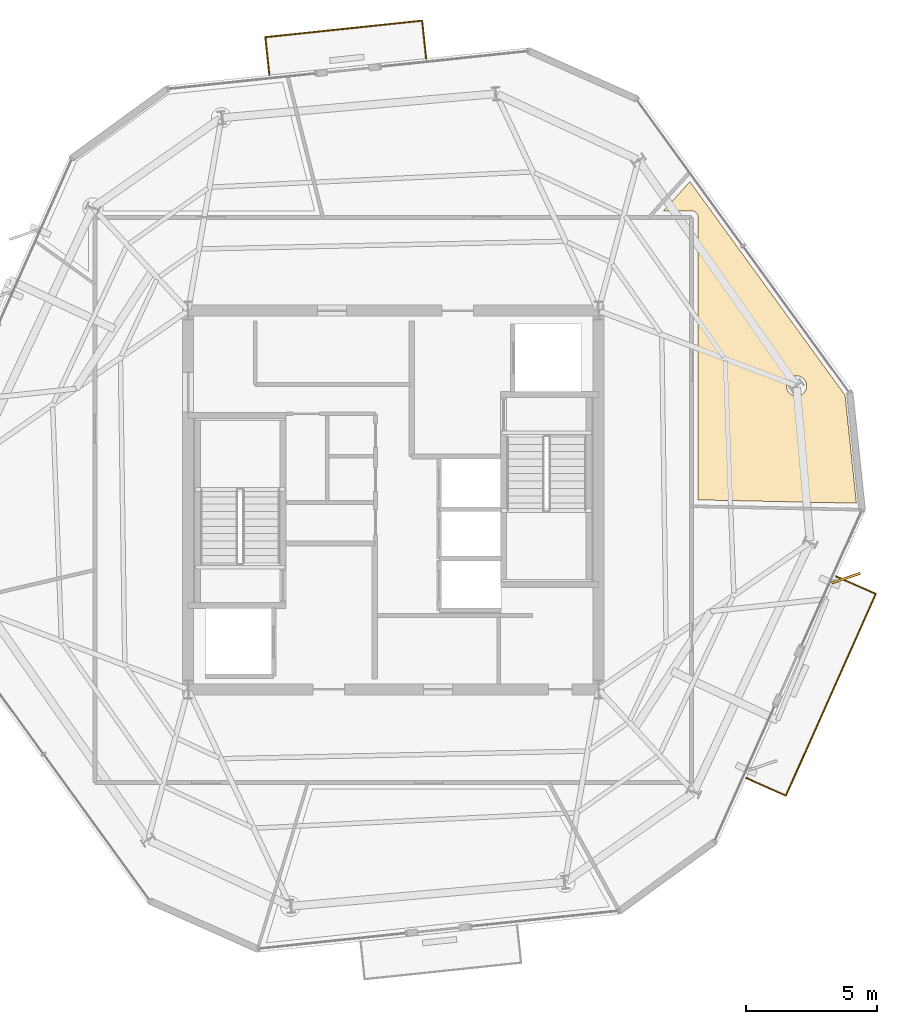
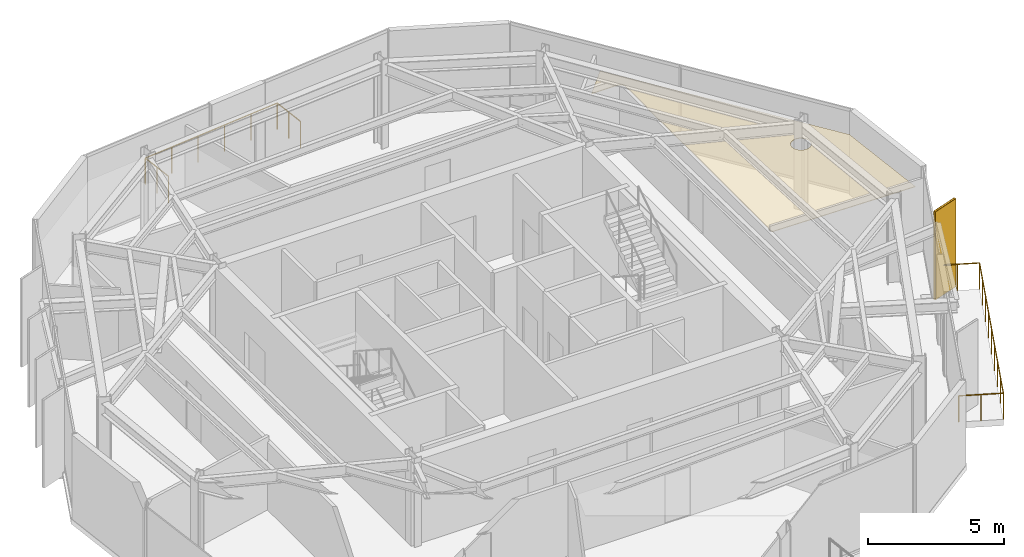
# One storey, part 11 of 11: 2 coverings, 2 railings, 1 shading device.
"""IFC4 building model written with IfcOpenShell, lengths in metres."""

from ifc_helpers import new_model, si_unit, direction, frame, origin, origin_2d, place, context, subcontext, project, spatial, polyline, rectangle, circle, outline, extrude, material, layer, layer_set, type_object, element, save


model = new_model("IFC4")

# Units and contexts
model_context = context("Model", 3, precision=1e-05, world=origin(), true_north=direction((0.0, 1.0)))
body_context = subcontext(model_context, "Body", "Model", "MODEL_VIEW")
ifc_project = project(units=[si_unit("LENGTHUNIT", "METRE"), si_unit("AREAUNIT", "SQUARE_METRE"), si_unit("VOLUMEUNIT", "CUBIC_METRE"), si_unit("PLANEANGLEUNIT", "RADIAN"), si_unit("MASSUNIT", "GRAM", prefix="KILO")], contexts=[model_context])

# Site, building, storey
site_placement = place(None, origin())
site = spatial("IfcSite", under=ifc_project, at=site_placement, CompositionType="ELEMENT")
building_placement = place(site_placement, origin())
building = spatial("IfcBuilding", under=site, at=building_placement, Name="Kranzbogen Civic Tower", CompositionType="ELEMENT")
storey_placement = place(building_placement, frame((0.0, 0.0, 290.199951171875)))
storey = spatial("IfcBuildingStorey", under=building, at=storey_placement, Name="L70", CompositionType="ELEMENT", Elevation=290.199951171875)

# Covering
ifc_material_1 = material(Name="Pale Anodised Aluminium", Category="aluminium")
ifc_layer_1 = layer(ifc_material_1, 0.02490234375, Name="Pale Anodised Aluminium")
ifc_layer_set_1 = layer_set([ifc_layer_1], Name="Pale Anodised Aluminium")
covering_type_1 = type_object("IfcCoveringType", Name="Anodised Aluminium Vertical Fin Cladding 25 mm", PredefinedType="CLADDING", material=ifc_layer_set_1)
covering_1_placement = place(storey_placement, frame((42.219970703125, 22.029052734375, -0.139892578125), z_axis=(0.0, 0.0, 1.0), x_axis=(0.946986216842, 0.321274189923, 0.0)))
element("IfcCovering", 1, at=covering_1_placement, inside=storey, type_object=covering_type_1, Name="L70 vertical fin pale-metal cladding F5-4", PredefinedType="CLADDING", context=body_context, shape_type="SweptSolid", body=[
    extrude(rectangle(XDim=1.14990234375, YDim=0.094970703125, at=origin_2d()), origin(), (0.0, 0.0, 1.0), 3.9599609375),
])

# Railings
ifc_material_2 = material(Name="Anodised Bronze Aluminium", Category="aluminium")
railing_type = type_object("IfcRailingType", Name="Cantilevered Balcony Glass and Bronze Balustrade 1200", PredefinedType="BALUSTRADE", material=ifc_material_2)
railing_1_placement = place(storey_placement, frame((26.251953125, 41.7890625, 0.0)))
element("IfcRailing", 2, at=railing_1_placement, inside=storey, type_object=railing_type, Name="L70 exterior terrace balustrade L70-TB1", PredefinedType="BALUSTRADE", context=body_context, shape_type="SweptSolid", body=[
    extrude(circle(Radius=0.02392578125, at=origin_2d()), frame((0.0, 0.0, 1.17578125), z_axis=(-0.104737376809, 0.994499915485, 0.0), x_axis=(-0.994499915485, -0.104737376809, 0.0)), (0.0, 0.0, 1.0), 1.449951171875),
    extrude(circle(Radius=0.02392578125, at=origin_2d()), frame((-0.15185546875, 1.44189453125, 1.17578125), z_axis=(-0.99452550138, -0.104494148666, 0.0), x_axis=(0.104494148666, -0.99452550138, 0.0)), (0.0, 0.0, 1.0), 6.0),
    extrude(circle(Radius=0.02392578125, at=origin_2d()), frame((-6.118896484375, 0.81494140625, 1.17578125), z_axis=(0.104737376809, -0.994499915485, 0.0), x_axis=(0.994499915485, 0.104737376809, 0.0)), (0.0, 0.0, 1.0), 1.449951171875),
    extrude(circle(Radius=0.02099609375, at=origin_2d()), origin(), (0.0, 0.0, 1.0), 1.15185546875),
    extrude(circle(Radius=0.02099609375, at=origin_2d()), frame((-0.075927734375, 0.720947265625, 0.0)), (0.0, 0.0, 1.0), 1.15185546875),
    extrude(circle(Radius=0.02099609375, at=origin_2d()), frame((-0.15185546875, 1.44189453125, 0.0)), (0.0, 0.0, 1.0), 1.15185546875),
    extrude(circle(Radius=0.02099609375, at=origin_2d()), frame((-1.34521484375, 1.31640625, 0.0)), (0.0, 0.0, 1.0), 1.15185546875),
    extrude(circle(Radius=0.02099609375, at=origin_2d()), frame((-2.53857421875, 1.191162109375, 0.0)), (0.0, 0.0, 1.0), 1.15185546875),
    extrude(circle(Radius=0.02099609375, at=origin_2d()), frame((-3.732177734375, 1.065673828125, 0.0)), (0.0, 0.0, 1.0), 1.15185546875),
    extrude(circle(Radius=0.02099609375, at=origin_2d()), frame((-4.925537109375, 0.9404296875, 0.0)), (0.0, 0.0, 1.0), 1.15185546875),
    extrude(circle(Radius=0.02099609375, at=origin_2d()), frame((-6.118896484375, 0.81494140625, 0.0)), (0.0, 0.0, 1.0), 1.15185546875),
    extrude(circle(Radius=0.02099609375, at=origin_2d()), frame((-6.04296875, 0.093994140625, 0.0)), (0.0, 0.0, 1.0), 1.15185546875),
    extrude(circle(Radius=0.02099609375, at=origin_2d()), frame((-5.967041015625, -0.626953125, 0.0)), (0.0, 0.0, 1.0), 1.15185546875),
])
railing_2_placement = place(storey_placement, frame((38.426025390625, 14.425048828125, 0.0)))
element("IfcRailing", 3, at=railing_2_placement, inside=storey, type_object=railing_type, Name="L70 exterior terrace balustrade L70-ST", PredefinedType="BALUSTRADE", context=body_context, shape_type="SweptSolid", body=[
    extrude(circle(Radius=0.02392578125, at=origin_2d()), frame((0.0, 0.0, 1.17578125), z_axis=(0.913512279421, -0.406811154403, 0.0), x_axis=(0.406811154403, 0.913512279421, 0.0)), (0.0, 0.0, 1.0), 1.649658203125),
    extrude(circle(Radius=0.02392578125, at=origin_2d()), frame((1.507080078125, -0.671142578125, 1.17578125), z_axis=(0.406763971692, 0.913533289669, 0.0), x_axis=(-0.913533289669, 0.406763971692, 0.0)), (0.0, 0.0, 1.0), 8.400390625),
    extrude(circle(Radius=0.02392578125, at=origin_2d()), frame((4.924072265625, 7.0029296875, 1.17578125), z_axis=(-0.913512279421, 0.406811154403, 0.0), x_axis=(-0.406811154403, -0.913512279421, 0.0)), (0.0, 0.0, 1.0), 1.649658203125),
    extrude(circle(Radius=0.02099609375, at=origin_2d()), origin(), (0.0, 0.0, 1.0), 1.15185546875),
    extrude(circle(Radius=0.02099609375, at=origin_2d()), frame((0.75341796875, -0.33544921875, 0.0)), (0.0, 0.0, 1.0), 1.15185546875),
    extrude(circle(Radius=0.02099609375, at=origin_2d()), frame((1.507080078125, -0.671142578125, 0.0)), (0.0, 0.0, 1.0), 1.15185546875),
    extrude(circle(Radius=0.02099609375, at=origin_2d()), frame((1.93408203125, 0.2880859375, 0.0)), (0.0, 0.0, 1.0), 1.15185546875),
    extrude(circle(Radius=0.02099609375, at=origin_2d()), frame((2.361328125, 1.247314453125, 0.0)), (0.0, 0.0, 1.0), 1.15185546875),
    extrude(circle(Radius=0.02099609375, at=origin_2d()), frame((2.78857421875, 2.20654296875, 0.0)), (0.0, 0.0, 1.0), 1.15185546875),
    extrude(circle(Radius=0.02099609375, at=origin_2d()), frame((3.215576171875, 3.166015625, 0.0)), (0.0, 0.0, 1.0), 1.15185546875),
    extrude(circle(Radius=0.02099609375, at=origin_2d()), frame((3.642578125, 4.125244140625, 0.0)), (0.0, 0.0, 1.0), 1.15185546875),
    extrude(circle(Radius=0.02099609375, at=origin_2d()), frame((4.06982421875, 5.08447265625, 0.0)), (0.0, 0.0, 1.0), 1.15185546875),
    extrude(circle(Radius=0.02099609375, at=origin_2d()), frame((4.4970703125, 6.043701171875, 0.0)), (0.0, 0.0, 1.0), 1.15185546875),
    extrude(circle(Radius=0.02099609375, at=origin_2d()), frame((4.924072265625, 7.0029296875, 0.0)), (0.0, 0.0, 1.0), 1.15185546875),
    extrude(circle(Radius=0.02099609375, at=origin_2d()), frame((4.17041015625, 7.33837890625, 0.0)), (0.0, 0.0, 1.0), 1.15185546875),
    extrude(circle(Radius=0.02099609375, at=origin_2d()), frame((3.4169921875, 7.674072265625, 0.0)), (0.0, 0.0, 1.0), 1.15185546875),
])

# Shading device
shading_device_type = type_object("IfcShadingDeviceType", Name="Pale Anodised Aluminium Crown Fin 1150x75", PredefinedType="USERDEFINED", material=ifc_material_1)
shading_device_placement = place(storey_placement, frame((42.219970703125, 22.029052734375, -0.139892578125), z_axis=(0.0, 0.0, 1.0), x_axis=(0.946986216842, 0.321274189923, 0.0)))
element("IfcShadingDevice", 4, at=shading_device_placement, inside=storey, type_object=shading_device_type, Name="L70 vertical exterior shading fin F5-4", ObjectType="FIN", PredefinedType="USERDEFINED", context=body_context, shape_type="SweptSolid", body=[
    extrude(rectangle(XDim=1.14990234375, YDim=0.074951171875, at=origin_2d()), origin(), (0.0, 0.0, 1.0), 3.9599609375),
])

# Covering
ifc_material_3 = material(Name="Perforated Acoustic Gypsum Ceiling")
ifc_layer_2 = layer(ifc_material_3, 0.02490234375, Name="Perforated Acoustic Gypsum Ceiling")
ifc_layer_set_2 = layer_set([ifc_layer_2], Name="Perforated Acoustic Gypsum Ceiling")
covering_type_2 = type_object("IfcCoveringType", Name="Perforated Acoustic Mineral Ceiling Tile 25 mm", PredefinedType="CEILING", material=ifc_layer_set_2)
covering_2_placement = place(storey_placement, frame((0.0, 0.0, 2.75)))
element("IfcCovering", 5, at=covering_2_placement, inside=storey, type_object=covering_type_2, Name="L70 Operations Security Control Room acoustic ceiling", PredefinedType="CEILING", context=body_context, shape_type="SweptSolid", body=[
    extrude(outline(polyline([(42.614990234375, 24.8779296875), (36.594970703125, 25.00390625), (36.594970703125, 35.75), (36.594970703125, 35.759033203125), (36.593994140625, 35.764892578125), (36.593017578125, 35.782958984375), (36.592041015625, 35.7890625), (36.587890625, 35.805908203125), (36.5869140625, 35.81298828125), (36.58203125, 35.830078125), (36.580078125, 35.8359375), (36.572998046875, 35.85205078125), (36.570068359375, 35.85791015625), (36.56201171875, 35.873046875), (36.55810546875, 35.87890625), (36.549072265625, 35.89306640625), (36.544921875, 35.89794921875), (36.533935546875, 35.912109375), (36.529052734375, 35.9169921875), (36.51708984375, 35.928955078125), (36.511962890625, 35.93408203125), (36.498046875, 35.945068359375), (36.492919921875, 35.948974609375), (36.47900390625, 35.9580078125), (36.472900390625, 35.9619140625), (36.4580078125, 35.969970703125), (36.451904296875, 35.972900390625), (36.43603515625, 35.97998046875), (36.429931640625, 35.98193359375), (36.4130859375, 35.987060546875), (36.406005859375, 35.988037109375), (36.388916015625, 35.991943359375), (36.383056640625, 35.992919921875), (36.364990234375, 35.993896484375), (36.35888671875, 35.9951171875), (36.35009765625, 35.9951171875), (35.27392578125, 35.9951171875), (36.280029296875, 37.10693359375), (42.18310546875, 28.97998046875), (42.614990234375, 24.8779296875)]), holes=[polyline([(40.68798828125, 29.19189453125), (40.672119140625, 29.157958984375), (40.653076171875, 29.1259765625), (40.6298828125, 29.095947265625), (40.60498046875, 29.068115234375), (40.576904296875, 29.04296875), (40.547119140625, 29.02001953125), (40.514892578125, 29.0009765625), (40.48095703125, 28.985107421875), (40.445068359375, 28.971923828125), (40.408935546875, 28.962890625), (40.3720703125, 28.95703125), (40.333984375, 28.9560546875), (40.2958984375, 28.95703125), (40.259033203125, 28.962890625), (40.222900390625, 28.971923828125), (40.18701171875, 28.985107421875), (40.153076171875, 29.0009765625), (40.12109375, 29.02001953125), (40.091064453125, 29.04296875), (40.06298828125, 29.068115234375), (40.0380859375, 29.095947265625), (40.014892578125, 29.1259765625), (39.99609375, 29.157958984375), (39.97998046875, 29.19189453125), (39.967041015625, 29.22802734375), (39.9580078125, 29.263916015625), (39.951904296875, 29.301025390625), (39.950927734375, 29.339111328125), (39.951904296875, 29.376953125), (39.9580078125, 29.4140625), (39.967041015625, 29.449951171875), (39.97998046875, 29.486083984375), (39.99609375, 29.52001953125), (40.014892578125, 29.552001953125), (40.0380859375, 29.58203125), (40.06298828125, 29.610107421875), (40.091064453125, 29.635009765625), (40.12109375, 29.657958984375), (40.153076171875, 29.677001953125), (40.18701171875, 29.693115234375), (40.222900390625, 29.7060546875), (40.259033203125, 29.715087890625), (40.2958984375, 29.720947265625), (40.333984375, 29.721923828125), (40.3720703125, 29.720947265625), (40.408935546875, 29.715087890625), (40.445068359375, 29.7060546875), (40.48095703125, 29.693115234375), (40.514892578125, 29.677001953125), (40.547119140625, 29.657958984375), (40.576904296875, 29.635009765625), (40.60498046875, 29.610107421875), (40.6298828125, 29.58203125), (40.653076171875, 29.552001953125), (40.672119140625, 29.52001953125), (40.68798828125, 29.486083984375), (40.700927734375, 29.449951171875), (40.7099609375, 29.4140625), (40.716064453125, 29.376953125), (40.717041015625, 29.339111328125), (40.716064453125, 29.301025390625), (40.7099609375, 29.263916015625), (40.700927734375, 29.22802734375), (40.68798828125, 29.19189453125)])]), origin(), (0.0, 0.0, 1.0), 0.025146484375),
])

save(model, "model.ifc")
